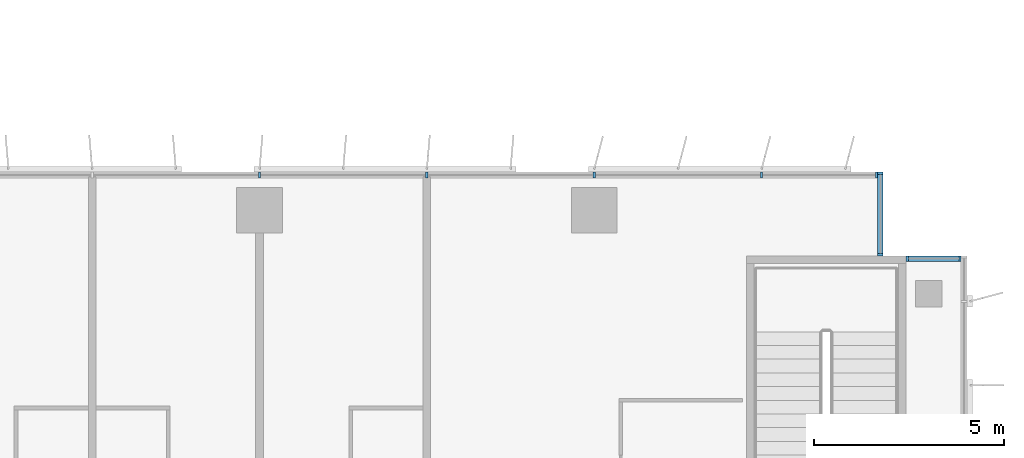
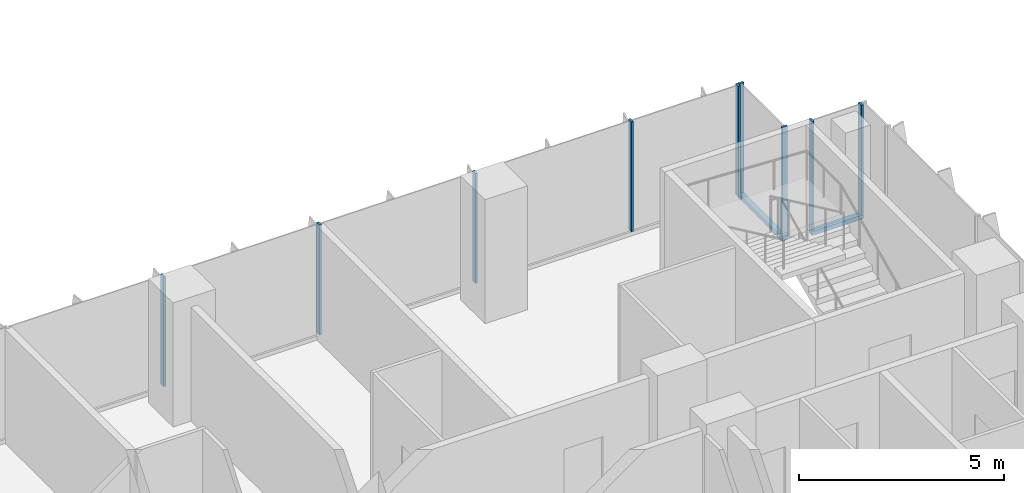
# One storey, part 4 of 23: 11 members, 3 elements without a shape of their own.
"""IFC4 building model written with IfcOpenShell, lengths in metres."""

from ifc_helpers import new_model, si_unit, direction, frame, origin, origin_2d, place, context, subcontext, project, spatial, rectangle, extrude, source, transform, mapped, material, material_profile, profile_set, type_object, element, aggregate, save


model = new_model("IFC4")

# Units and contexts
model_context = context("Model", 3, precision=1e-05, world=origin(), true_north=direction((0.0, 1.0)))
body_context = subcontext(model_context, "Body", "Model", "MODEL_VIEW")
ifc_project = project(units=[si_unit("LENGTHUNIT", "METRE"), si_unit("AREAUNIT", "SQUARE_METRE"), si_unit("VOLUMEUNIT", "CUBIC_METRE"), si_unit("PLANEANGLEUNIT", "RADIAN"), si_unit("MASSUNIT", "GRAM", prefix="KILO")], contexts=[model_context])

# Site, building, storey
site_placement = place(None, origin())
site = spatial("IfcSite", under=ifc_project, at=site_placement, CompositionType="ELEMENT")
building_placement = place(site_placement, origin())
building = spatial("IfcBuilding", under=site, at=building_placement, Name="Kemantara Hotel Tower", CompositionType="ELEMENT")
storey_placement = place(building_placement, frame((0.0, 0.0, 142.0)))
storey = spatial("IfcBuildingStorey", under=building, at=storey_placement, Name="L34", CompositionType="ELEMENT", Elevation=142.0)

# Curtain wall, member
ifc_material_1 = material(Name="Low-E tinted double insulated glass 36 mm", Category="glass")
curtain_wall_type = type_object("IfcCurtainWallType", Name="TOWER CURTAIN WALL, FRONT FACES", PredefinedType="USERDEFINED", material=ifc_material_1)
curtain_wall_1_placement = place(storey_placement, origin())
curtain_wall_1 = element("IfcCurtainWall", 1, at=curtain_wall_1_placement, inside=storey, type_object=curtain_wall_type, Name="CW4 L34 T2-R11-1", ObjectType="TOWER CURTAIN WALL, FRONT FACES", PredefinedType="USERDEFINED")
ifc_material_2 = material(Name="Aluminium 6063-T6 bronze anodised", Category="aluminium")
ifc_material_profile_1 = material_profile(ifc_material_2, rectangle(XDim=0.14990234375, YDim=0.1201171875, at=origin_2d()), Name="TOWER CURTAIN WALL, FRONT FACES TRANSOM")
ifc_profile_set_1 = profile_set([ifc_material_profile_1], Name="Aluminium 6063-T6 bronze anodised")
member_type_1 = type_object("IfcMemberType", Name="TOWER CURTAIN WALL, FRONT FACES TRANSOM", PredefinedType="USERDEFINED", material=ifc_profile_set_1)
member_1_placement = place(storey_placement, frame((63.449951171875, 19.72509765625, 0.06005859375), z_axis=(-1.0, 0.0, 0.0), x_axis=(0.0, -1.0, 0.0)))
member_1 = element("IfcMember", 2, at=member_1_placement, type_object=member_type_1, Name="CW4 sill transom T2-R11-1", ObjectType="TRANSOM", PredefinedType="USERDEFINED", context=body_context, shape_type="SweptSolid", body=[
    extrude(rectangle(XDim=0.14990234375, YDim=0.1201171875, at=origin_2d()), origin(), (0.0, 0.0, 1.0), 1.449951171875),
])

curtain_wall_2_placement = place(storey_placement, origin())
curtain_wall_2 = element("IfcCurtainWall", 3, at=curtain_wall_2_placement, inside=storey, type_object=curtain_wall_type, Name="CW4 L34 T2-R12-1", ObjectType="TOWER CURTAIN WALL, FRONT FACES", PredefinedType="USERDEFINED")
member_2_placement = place(storey_placement, frame((61.324951171875, 19.800048828125, 0.06005859375), z_axis=(0.0, 1.0, 0.0), x_axis=(-1.0, 0.0, 0.0)))
member_2 = element("IfcMember", 4, at=member_2_placement, type_object=member_type_1, Name="CW4 sill transom T2-R12-1", ObjectType="TRANSOM", PredefinedType="USERDEFINED", context=body_context, shape_type="SweptSolid", body=[
    extrude(rectangle(XDim=0.14990234375, YDim=0.1201171875, at=origin_2d()), origin(), (0.0, 0.0, 1.0), 2.199951171875),
])

# Curtain wall, members
curtain_wall_3_placement = place(storey_placement, origin())
curtain_wall_3 = element("IfcCurtainWall", 5, at=curtain_wall_3_placement, inside=storey, type_object=curtain_wall_type, Name="CW4 L34 T2-R13-1", ObjectType="TOWER CURTAIN WALL, FRONT FACES", PredefinedType="USERDEFINED")
ifc_material_profile_2 = material_profile(ifc_material_2, rectangle(XDim=0.14990234375, YDim=0.06005859375, at=origin_2d()), Name="TOWER CURTAIN WALL, FRONT FACES MULLION")
ifc_profile_set_2 = profile_set([ifc_material_profile_2], Name="Aluminium 6063-T6 bronze anodised")
member_type_2 = type_object("IfcMemberType", Name="TOWER CURTAIN WALL, FRONT FACES MULLION", PredefinedType="MULLION", material=ifc_profile_set_2)
shared_shape = source(origin(), body_context, "Body", "SweptSolid", [
    extrude(rectangle(XDim=0.14990234375, YDim=0.06005859375, at=origin_2d()), origin(), (0.0, 0.0, 1.0), 3.27978515625),
])
member_3_placement = place(storey_placement, frame((61.219970703125, 21.925048828125, 0.1201171875), z_axis=(0.0, 0.0, 1.0), x_axis=(0.0, -1.0, 0.0)))
member_3 = element("IfcMember", 6, at=member_3_placement, type_object=member_type_2, Name="CW4 mullion T2-R13-1.1", PredefinedType="MULLION", context=body_context, shape_type="MappedRepresentation", body=[
    mapped(shared_shape, transform((0.0, 0.0, 0.0))),
])
member_4_placement = place(storey_placement, frame((58.199951171875, 21.925048828125, 0.1201171875), z_axis=(0.0, 0.0, 1.0), x_axis=(0.0, -1.0, 0.0)))
member_4 = element("IfcMember", 7, at=member_4_placement, type_object=member_type_2, Name="CW4 mullion T2-R13-1.2", PredefinedType="MULLION", context=body_context, shape_type="MappedRepresentation", body=[
    mapped(shared_shape, transform((0.0, 0.0, 0.0))),
])
member_5_placement = place(storey_placement, frame((53.800048828125, 21.925048828125, 0.1201171875), z_axis=(0.0, 0.0, 1.0), x_axis=(0.0, -1.0, 0.0)))
member_5 = element("IfcMember", 8, at=member_5_placement, type_object=member_type_2, Name="CW4 mullion T2-R13-1.3", PredefinedType="MULLION", context=body_context, shape_type="MappedRepresentation", body=[
    mapped(shared_shape, transform((0.0, 0.0, 0.0))),
])
member_6_placement = place(storey_placement, frame((49.39990234375, 21.925048828125, 0.1201171875), z_axis=(0.0, 0.0, 1.0), x_axis=(0.0, -1.0, 0.0)))
member_6 = element("IfcMember", 9, at=member_6_placement, type_object=member_type_2, Name="CW4 mullion T2-R13-1.4", PredefinedType="MULLION", context=body_context, shape_type="MappedRepresentation", body=[
    mapped(shared_shape, transform((0.0, 0.0, 0.0))),
])
member_7_placement = place(storey_placement, frame((45.0, 21.925048828125, 0.1201171875), z_axis=(0.0, 0.0, 1.0), x_axis=(0.0, -1.0, 0.0)))
member_7 = element("IfcMember", 10, at=member_7_placement, type_object=member_type_2, Name="CW4 mullion T2-R13-1.5", PredefinedType="MULLION", context=body_context, shape_type="MappedRepresentation", body=[
    mapped(shared_shape, transform((0.0, 0.0, 0.0))),
])
aggregate(curtain_wall_3, [member_3, member_4, member_5, member_6, member_7])

# Member
member_8_placement = place(storey_placement, frame((63.419921875, 19.72509765625, 0.1201171875), z_axis=(0.0, 0.0, 1.0), x_axis=(0.0, -1.0, 0.0)))
member_8 = element("IfcMember", 11, at=member_8_placement, type_object=member_type_2, Name="CW4 mullion T2-R11-1.1", PredefinedType="MULLION", context=body_context, shape_type="MappedRepresentation", body=[
    mapped(shared_shape, transform((0.0, 0.0, 0.0))),
])

member_9_placement = place(storey_placement, frame((62.030029296875, 19.72509765625, 0.1201171875), z_axis=(0.0, 0.0, 1.0), x_axis=(0.0, -1.0, 0.0)))
member_9 = element("IfcMember", 12, at=member_9_placement, type_object=member_type_2, Name="CW4 mullion T2-R11-1.2", PredefinedType="MULLION", context=body_context, shape_type="MappedRepresentation", body=[
    mapped(shared_shape, transform((0.0, 0.0, 0.0))),
])

aggregate(curtain_wall_1, [member_1, member_8, member_9])

member_10_placement = place(storey_placement, frame((61.324951171875, 19.830078125, 0.1201171875), z_axis=(0.0, 0.0, 1.0), x_axis=(-1.0, 0.0, 0.0)))
member_10 = element("IfcMember", 13, at=member_10_placement, type_object=member_type_2, Name="CW4 mullion T2-R12-1.1", PredefinedType="MULLION", context=body_context, shape_type="MappedRepresentation", body=[
    mapped(shared_shape, transform((0.0, 0.0, 0.0))),
])

member_11_placement = place(storey_placement, frame((61.324951171875, 21.969970703125, 0.1201171875), z_axis=(0.0, 0.0, 1.0), x_axis=(-1.0, 0.0, 0.0)))
member_11 = element("IfcMember", 14, at=member_11_placement, type_object=member_type_2, Name="CW4 mullion T2-R12-1.2", PredefinedType="MULLION", context=body_context, shape_type="MappedRepresentation", body=[
    mapped(shared_shape, transform((0.0, 0.0, 0.0))),
])

aggregate(curtain_wall_2, [member_2, member_10, member_11])

save(model, "model.ifc")
